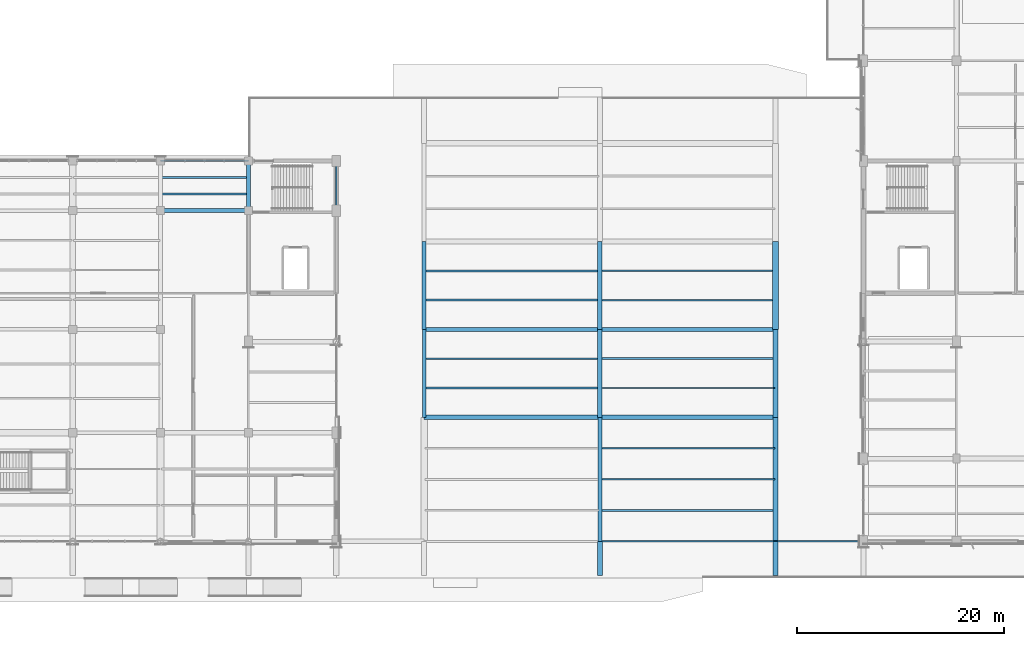
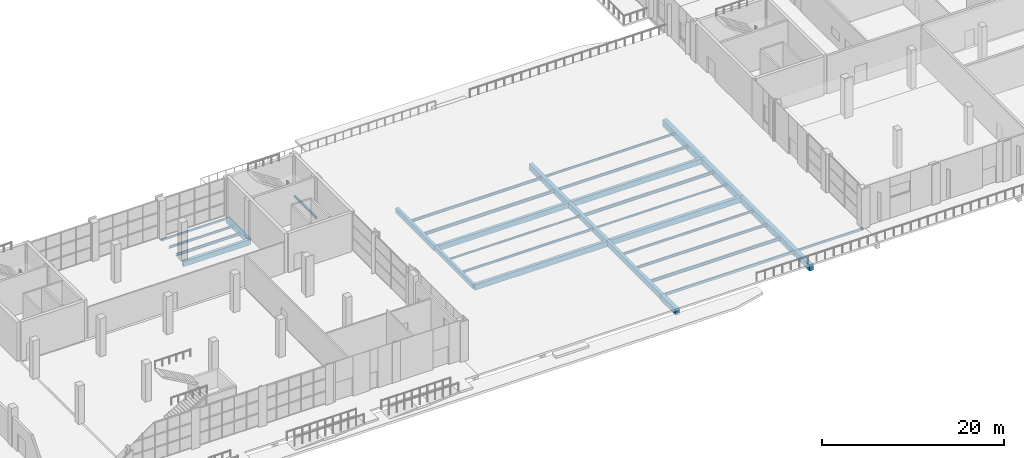
# One storey, part 18 of 90: 33 beams.
"""IFC4 building model written with IfcOpenShell, lengths in metres."""

from ifc_helpers import new_model, si_unit, direction, frame, origin, origin_2d, place, context, subcontext, project, spatial, rectangle, hollow_rectangle, i_section, extrude, material, material_profile, profile_set, type_object, element, save


model = new_model("IFC4")

# Units and contexts
model_context = context("Model", 3, precision=1e-05, world=origin(), true_north=direction((0.0, 1.0)))
body_context = subcontext(model_context, "Body", "Model", "MODEL_VIEW")
ifc_project = project(units=[si_unit("LENGTHUNIT", "METRE"), si_unit("AREAUNIT", "SQUARE_METRE"), si_unit("VOLUMEUNIT", "CUBIC_METRE"), si_unit("PLANEANGLEUNIT", "RADIAN"), si_unit("MASSUNIT", "GRAM", prefix="KILO")], contexts=[model_context])

# Site, building, storey
site_placement = place(None, origin())
site = spatial("IfcSite", under=ifc_project, at=site_placement, CompositionType="ELEMENT")
building_placement = place(site_placement, origin())
building = spatial("IfcBuilding", under=site, at=building_placement, Name="Solvikara Media Centre", CompositionType="ELEMENT")
storey_placement = place(building_placement, origin())
storey = spatial("IfcBuildingStorey", under=building, at=storey_placement, Name="L00", CompositionType="ELEMENT", Elevation=0.0)

# Beams
ifc_material_1 = material(Name="Concrete fc' 35 MPa (C35/45)", Category="concrete")
ifc_material_profile_1 = material_profile(ifc_material_1, rectangle(XDim=0.35009765625, YDim=0.60009765625, at=origin_2d()), Name="RC 350x600")
ifc_profile_set_1 = profile_set([ifc_material_profile_1], Name="Concrete fc' 35 MPa (C35/45)")
beam_type_1 = type_object("IfcBeamType", Name="BM-01", PredefinedType="BEAM", material=ifc_profile_set_1)
beam_1_placement = place(storey_placement, frame((85.0, 12.0, -0.550048828125), z_axis=(0.0, 1.0, 0.0), x_axis=(-1.0, 0.0, 0.0)))
element("IfcBeam", 1, at=beam_1_placement, inside=storey, type_object=beam_type_1, Name="B-L00-Y0181", PredefinedType="BEAM", context=body_context, shape_type="SweptSolid", body=[
    extrude(rectangle(XDim=0.35009765625, YDim=0.60009765625, at=origin_2d()), origin(), (0.0, 0.0, 1.0), 8.5),
])
ifc_material_profile_2 = material_profile(ifc_material_1, rectangle(XDim=0.39990234375, YDim=0.64990234375, at=origin_2d()), Name="RC 400x650")
ifc_profile_set_2 = profile_set([ifc_material_profile_2], Name="Concrete fc' 35 MPa (C35/45)")
beam_type_2 = type_object("IfcBeamType", Name="BM-02", PredefinedType="BEAM", material=ifc_profile_set_2)
beam_2_placement = place(storey_placement, frame((85.0, 20.5, -0.574951171875), z_axis=(0.0, 1.0, 0.0), x_axis=(-1.0, 0.0, 0.0)))
element("IfcBeam", 2, at=beam_2_placement, inside=storey, type_object=beam_type_2, Name="B-L00-Y0182", PredefinedType="BEAM", context=body_context, shape_type="SweptSolid", body=[
    extrude(rectangle(XDim=0.39990234375, YDim=0.64990234375, at=origin_2d()), origin(), (0.0, 0.0, 1.0), 8.5),
])
ifc_material_profile_3 = material_profile(ifc_material_1, rectangle(XDim=0.39990234375, YDim=0.699951171875, at=origin_2d()), Name="RC 400x700")
ifc_profile_set_3 = profile_set([ifc_material_profile_3], Name="Concrete fc' 35 MPa (C35/45)")
beam_type_3 = type_object("IfcBeamType", Name="BM-03", PredefinedType="BEAM", material=ifc_profile_set_3)
beam_3_placement = place(storey_placement, frame((85.0, 20.5, -0.60009765625), z_axis=(1.0, 0.0, 0.0), x_axis=(0.0, 1.0, 0.0)))
element("IfcBeam", 3, at=beam_3_placement, inside=storey, type_object=beam_type_3, Name="B-L00-X0039", PredefinedType="BEAM", context=body_context, shape_type="SweptSolid", body=[
    extrude(rectangle(XDim=0.39990234375, YDim=0.699951171875, at=origin_2d()), origin(), (0.0, 0.0, 1.0), 17.0),
])
beam_4_placement = place(storey_placement, frame((59.5, 32.0, -0.68994140625), z_axis=(1.0, 0.0, 0.0), x_axis=(0.0, 1.0, 0.0)))
element("IfcBeam", 4, at=beam_4_placement, inside=storey, type_object=beam_type_3, Name="B-L00-X0051", PredefinedType="BEAM", context=body_context, shape_type="SweptSolid", body=[
    extrude(rectangle(XDim=0.39990234375, YDim=0.699951171875, at=origin_2d()), origin(), (0.0, 0.0, 1.0), 8.5),
])
ifc_material_profile_4 = material_profile(ifc_material_1, rectangle(XDim=0.39990234375, YDim=0.75, at=origin_2d()), Name="RC 400x750")
ifc_profile_set_4 = profile_set([ifc_material_profile_4], Name="Concrete fc' 35 MPa (C35/45)")
beam_type_4 = type_object("IfcBeamType", Name="BM-04", PredefinedType="BEAM", material=ifc_profile_set_4)
for number, where, z_axis, x_axis, name in (
    (5, (85.0, 12.0, -0.625), (1.0, 0.0, 0.0), (0.0, 1.0, 0.0), "B-L00-X0028"),
    (6, (102.0, 20.5, -0.625), (1.0, 0.0, 0.0), (0.0, 1.0, 0.0), "B-L00-X0040"),
):
    element("IfcBeam", number, at=place(storey_placement, frame(where, z_axis=z_axis, x_axis=x_axis)), inside=storey, type_object=beam_type_4, Name=name, PredefinedType="BEAM", context=body_context, shape_type="SweptSolid", body=[
        extrude(rectangle(XDim=0.39990234375, YDim=0.75, at=origin_2d()), origin(), (0.0, 0.0, 1.0), 17.0),
    ])
beam_5_placement = place(storey_placement, frame((102.0, 0.0, -0.625), z_axis=(0.0, 1.0, 0.0), x_axis=(-1.0, 0.0, 0.0)))
element("IfcBeam", 7, at=beam_5_placement, inside=storey, type_object=beam_type_4, Name="B-L00-Y0184", PredefinedType="BEAM", context=body_context, shape_type="SweptSolid", body=[
    extrude(rectangle(XDim=0.39990234375, YDim=0.75, at=origin_2d()), origin(), (0.0, 0.0, 1.0), 12.0),
])
ifc_material_profile_5 = material_profile(ifc_material_1, rectangle(XDim=0.449951171875, YDim=0.75, at=origin_2d()), Name="RC 450x750")
ifc_profile_set_5 = profile_set([ifc_material_profile_5], Name="Concrete fc' 35 MPa (C35/45)")
beam_type_5 = type_object("IfcBeamType", Name="BM-05", PredefinedType="BEAM", material=ifc_profile_set_5)
beam_6_placement = place(storey_placement, frame((102.0, 12.0, -0.625), z_axis=(1.0, 0.0, 0.0), x_axis=(0.0, 1.0, 0.0)))
element("IfcBeam", 8, at=beam_6_placement, inside=storey, type_object=beam_type_5, Name="B-L00-X0029", PredefinedType="BEAM", context=body_context, shape_type="SweptSolid", body=[
    extrude(rectangle(XDim=0.449951171875, YDim=0.75, at=origin_2d()), origin(), (0.0, 0.0, 1.0), 17.0),
])
beam_7_placement = place(storey_placement, frame((102.0, 12.0, -0.625), z_axis=(0.0, 1.0, 0.0), x_axis=(-1.0, 0.0, 0.0)))
element("IfcBeam", 9, at=beam_7_placement, inside=storey, type_object=beam_type_5, Name="B-L00-Y0185", PredefinedType="BEAM", context=body_context, shape_type="SweptSolid", body=[
    extrude(rectangle(XDim=0.449951171875, YDim=0.75, at=origin_2d()), origin(), (0.0, 0.0, 1.0), 8.5),
])
ifc_material_profile_6 = material_profile(ifc_material_1, rectangle(XDim=0.449951171875, YDim=0.800048828125, at=origin_2d()), Name="RC 450x800")
ifc_profile_set_6 = profile_set([ifc_material_profile_6], Name="Concrete fc' 35 MPa (C35/45)")
beam_type_6 = type_object("IfcBeamType", Name="BM-06", PredefinedType="BEAM", material=ifc_profile_set_6)
beam_8_placement = place(storey_placement, frame((102.0, 20.5, -0.64990234375), z_axis=(0.0, 1.0, 0.0), x_axis=(-1.0, 0.0, 0.0)))
element("IfcBeam", 10, at=beam_8_placement, inside=storey, type_object=beam_type_6, Name="B-L00-Y0186", PredefinedType="BEAM", context=body_context, shape_type="SweptSolid", body=[
    extrude(rectangle(XDim=0.449951171875, YDim=0.800048828125, at=origin_2d()), origin(), (0.0, 0.0, 1.0), 8.5),
])
ifc_material_profile_7 = material_profile(ifc_material_1, rectangle(XDim=0.5, YDim=0.800048828125, at=origin_2d()), Name="RC 500x800")
ifc_profile_set_7 = profile_set([ifc_material_profile_7], Name="Concrete fc' 35 MPa (C35/45)")
beam_type_7 = type_object("IfcBeamType", Name="BM-07", PredefinedType="BEAM", material=ifc_profile_set_7)
for number, where, z_axis, x_axis, name in (
    (11, (102.0, -3.330078125, -0.64990234375), (0.0, 1.0, 0.0), (-1.0, 0.0, 0.0), "B-L00-PRM-029"),
    (12, (119.0, -3.330078125, -0.64990234375), (0.0, 1.0, 0.0), (-1.0, 0.0, 0.0), "B-L00-PRM-030"),
):
    element("IfcBeam", number, at=place(storey_placement, frame(where, z_axis=z_axis, x_axis=x_axis)), inside=storey, type_object=beam_type_7, Name=name, PredefinedType="BEAM", context=body_context, shape_type="SweptSolid", body=[
        extrude(rectangle(XDim=0.5, YDim=0.800048828125, at=origin_2d()), origin(), (0.0, 0.0, 1.0), 3.330078125),
    ])
ifc_material_profile_8 = material_profile(ifc_material_1, rectangle(XDim=0.5, YDim=0.85009765625, at=origin_2d()), Name="RC 500x850")
ifc_profile_set_8 = profile_set([ifc_material_profile_8], Name="Concrete fc' 35 MPa (C35/45)")
beam_type_8 = type_object("IfcBeamType", Name="BM-08", PredefinedType="BEAM", material=ifc_profile_set_8)
beam_9_placement = place(storey_placement, frame((119.0, 0.0, -0.675048828125), z_axis=(0.0, 1.0, 0.0), x_axis=(-1.0, 0.0, 0.0)))
element("IfcBeam", 13, at=beam_9_placement, inside=storey, type_object=beam_type_8, Name="B-L00-Y0188", PredefinedType="BEAM", context=body_context, shape_type="SweptSolid", body=[
    extrude(rectangle(XDim=0.5, YDim=0.85009765625, at=origin_2d()), origin(), (0.0, 0.0, 1.0), 12.0),
])
ifc_material_2 = material(Name="Concrete fc' 45 MPa (C45/55)", Category="concrete")
ifc_material_profile_9 = material_profile(ifc_material_2, rectangle(XDim=0.5, YDim=0.89990234375, at=origin_2d()), Name="RC 500x900")
ifc_profile_set_9 = profile_set([ifc_material_profile_9], Name="Concrete fc' 45 MPa (C45/55)")
beam_type_9 = type_object("IfcBeamType", Name="BM-09", PredefinedType="BEAM", material=ifc_profile_set_9)
beam_10_placement = place(storey_placement, frame((119.0, 12.0, -0.699951171875), z_axis=(0.0, 1.0, 0.0), x_axis=(-1.0, 0.0, 0.0)))
element("IfcBeam", 14, at=beam_10_placement, inside=storey, type_object=beam_type_9, Name="B-L00-Y0189", PredefinedType="BEAM", context=body_context, shape_type="SweptSolid", body=[
    extrude(rectangle(XDim=0.5, YDim=0.89990234375, at=origin_2d()), origin(), (0.0, 0.0, 1.0), 8.5),
])
ifc_material_profile_10 = material_profile(ifc_material_2, rectangle(XDim=0.550048828125, YDim=0.89990234375, at=origin_2d()), Name="RC 550x900")
ifc_profile_set_10 = profile_set([ifc_material_profile_10], Name="Concrete fc' 45 MPa (C45/55)")
beam_type_10 = type_object("IfcBeamType", Name="BM-10", PredefinedType="BEAM", material=ifc_profile_set_10)
beam_11_placement = place(storey_placement, frame((119.0, 20.5, -0.699951171875), z_axis=(0.0, 1.0, 0.0), x_axis=(-1.0, 0.0, 0.0)))
element("IfcBeam", 15, at=beam_11_placement, inside=storey, type_object=beam_type_10, Name="B-L00-Y0190", PredefinedType="BEAM", context=body_context, shape_type="SweptSolid", body=[
    extrude(rectangle(XDim=0.550048828125, YDim=0.89990234375, at=origin_2d()), origin(), (0.0, 0.0, 1.0), 8.5),
])
ifc_material_profile_11 = material_profile(ifc_material_1, rectangle(XDim=0.39990234375, YDim=0.699951171875, at=origin_2d()), Name="RC 400x700")
ifc_profile_set_11 = profile_set([ifc_material_profile_11], Name="Concrete fc' 35 MPa (C35/45)")
beam_type_11 = type_object("IfcBeamType", Name="BM-13", PredefinedType="SPANDREL", material=ifc_profile_set_11)
beam_12_placement = place(storey_placement, frame((68.0, 32.0, -0.68994140625), z_axis=(0.0, 1.0, 0.0), x_axis=(-1.0, 0.0, 0.0)))
element("IfcBeam", 16, at=beam_12_placement, inside=storey, type_object=beam_type_11, Name="B-L00-Y0175", PredefinedType="SPANDREL", context=body_context, shape_type="SweptSolid", body=[
    extrude(rectangle(XDim=0.39990234375, YDim=0.699951171875, at=origin_2d()), origin(), (0.0, 0.0, 1.0), 4.800048828125),
])
ifc_material_3 = material(Name="Steel S355JR", Category="steel")
ifc_material_profile_12 = material_profile(ifc_material_3, i_section(OverallWidth=0.199951171875, OverallDepth=0.39990234375, WebThickness=0.008056640625, FlangeThickness=0.012939453125, at=origin_2d()), Name="WF 400x200x8x13")
ifc_profile_set_12 = profile_set([ifc_material_profile_12], Name="Steel S355JR")
beam_type_12 = type_object("IfcBeamType", Name="BM-21", PredefinedType="JOIST", material=ifc_profile_set_12)
beam_13_placement = place(storey_placement, frame((102.077880859375, 3.0, -0.451904296875), z_axis=(1.0, 0.0, 0.0), x_axis=(0.0, 1.0, 0.0)))
element("IfcBeam", 17, at=beam_13_placement, inside=storey, type_object=beam_type_12, Name="J-L00-0369", PredefinedType="JOIST", context=body_context, shape_type="SweptSolid", body=[
    extrude(i_section(OverallWidth=0.199951171875, OverallDepth=0.39990234375, WebThickness=0.008056640625, FlangeThickness=0.012939453125, at=origin_2d()), origin(), (0.0, 0.0, 1.0), 16.84423828125),
])
ifc_material_profile_13 = material_profile(ifc_material_3, i_section(OverallWidth=0.175048828125, OverallDepth=0.35009765625, WebThickness=0.007080078125, FlangeThickness=0.010986328125, at=origin_2d()), Name="WF 350x175x7x11")
ifc_profile_set_13 = profile_set([ifc_material_profile_13], Name="Steel S355JR")
beam_type_13 = type_object("IfcBeamType", Name="BM-22", PredefinedType="JOIST", material=ifc_profile_set_13)
beam_14_placement = place(storey_placement, frame((59.577880859375, 33.60009765625, -0.51708984375), z_axis=(1.0, 0.0, 0.0), x_axis=(0.0, 1.0, 0.0)))
element("IfcBeam", 18, at=beam_14_placement, inside=storey, type_object=beam_type_13, Name="J-L00-0354", PredefinedType="JOIST", context=body_context, shape_type="SweptSolid", body=[
    extrude(i_section(OverallWidth=0.175048828125, OverallDepth=0.35009765625, WebThickness=0.007080078125, FlangeThickness=0.010986328125, at=origin_2d()), origin(), (0.0, 0.0, 1.0), 8.34423828125),
])
beam_15_placement = place(storey_placement, frame((102.077880859375, 6.0, -0.427001953125), z_axis=(1.0, 0.0, 0.0), x_axis=(0.0, 1.0, 0.0)))
element("IfcBeam", 19, at=beam_15_placement, inside=storey, type_object=beam_type_13, Name="J-L00-0370", PredefinedType="JOIST", context=body_context, shape_type="SweptSolid", body=[
    extrude(i_section(OverallWidth=0.175048828125, OverallDepth=0.35009765625, WebThickness=0.007080078125, FlangeThickness=0.010986328125, at=origin_2d()), origin(), (0.0, 0.0, 1.0), 16.84423828125),
])
ifc_material_profile_14 = material_profile(ifc_material_3, i_section(OverallWidth=0.14990234375, OverallDepth=0.300048828125, WebThickness=0.006591796875, FlangeThickness=0.009033203125, at=origin_2d()), Name="WF 300x150x6.5x9")
ifc_profile_set_14 = profile_set([ifc_material_profile_14], Name="Steel S355JR")
beam_type_14 = type_object("IfcBeamType", Name="BM-23", PredefinedType="JOIST", material=ifc_profile_set_14)
beam_16_placement = place(storey_placement, frame((59.577880859375, 35.199951171875, -0.491943359375), z_axis=(1.0, 0.0, 0.0), x_axis=(0.0, 1.0, 0.0)))
element("IfcBeam", 20, at=beam_16_placement, inside=storey, type_object=beam_type_14, Name="J-L00-0355", PredefinedType="JOIST", context=body_context, shape_type="SweptSolid", body=[
    extrude(i_section(OverallWidth=0.14990234375, OverallDepth=0.300048828125, WebThickness=0.006591796875, FlangeThickness=0.009033203125, at=origin_2d()), origin(), (0.0, 0.0, 1.0), 8.34423828125),
])
for number, where, z_axis, x_axis, name in (
    (21, (85.077880859375, 14.8330078125, -0.402099609375), (1.0, 0.0, 0.0), (0.0, 1.0, 0.0), "J-L00-0363"),
    (22, (102.077880859375, 9.0, -0.402099609375), (1.0, 0.0, 0.0), (0.0, 1.0, 0.0), "J-L00-0371"),
):
    element("IfcBeam", number, at=place(storey_placement, frame(where, z_axis=z_axis, x_axis=x_axis)), inside=storey, type_object=beam_type_14, Name=name, PredefinedType="JOIST", context=body_context, shape_type="SweptSolid", body=[
        extrude(i_section(OverallWidth=0.14990234375, OverallDepth=0.300048828125, WebThickness=0.006591796875, FlangeThickness=0.009033203125, at=origin_2d()), origin(), (0.0, 0.0, 1.0), 16.84423828125),
    ])
ifc_material_profile_15 = material_profile(ifc_material_3, i_section(OverallWidth=0.125, OverallDepth=0.25, WebThickness=0.006103515625, FlangeThickness=0.009033203125, at=origin_2d()), Name="WF 250x125x6x9")
ifc_profile_set_15 = profile_set([ifc_material_profile_15], Name="Steel S355JR")
beam_type_15 = type_object("IfcBeamType", Name="BM-24", PredefinedType="JOIST", material=ifc_profile_set_15)
for number, where, z_axis, x_axis, name in (
    (23, (85.077880859375, 17.6669921875, -0.376953125), (1.0, 0.0, 0.0), (0.0, 1.0, 0.0), "J-L00-0364"),
    (24, (102.077880859375, 14.8330078125, -0.376953125), (1.0, 0.0, 0.0), (0.0, 1.0, 0.0), "J-L00-0372"),
):
    element("IfcBeam", number, at=place(storey_placement, frame(where, z_axis=z_axis, x_axis=x_axis)), inside=storey, type_object=beam_type_15, Name=name, PredefinedType="JOIST", context=body_context, shape_type="SweptSolid", body=[
        extrude(i_section(OverallWidth=0.125, OverallDepth=0.25, WebThickness=0.006103515625, FlangeThickness=0.009033203125, at=origin_2d()), origin(), (0.0, 0.0, 1.0), 16.84423828125),
    ])
ifc_material_profile_16 = material_profile(ifc_material_3, hollow_rectangle(XDim=0.175048828125, YDim=0.35009765625, WallThickness=0.010009765625, at=origin_2d()), Name="RHS 350x175x10")
ifc_profile_set_16 = profile_set([ifc_material_profile_16], Name="Steel S355JR")
beam_type_16 = type_object("IfcBeamType", Name="BM-34", PredefinedType="SPANDREL", material=ifc_profile_set_16)
beam_17_placement = place(storey_placement, frame((102.0, 0.0, -0.427001953125), z_axis=(1.0, 0.0, 0.0), x_axis=(0.0, 1.0, 0.0)))
element("IfcBeam", 25, at=beam_17_placement, inside=storey, type_object=beam_type_16, Name="B-L00-X0012", PredefinedType="SPANDREL", context=body_context, shape_type="SweptSolid", body=[
    extrude(hollow_rectangle(XDim=0.175048828125, YDim=0.35009765625, WallThickness=0.010009765625, at=origin_2d()), origin(), (0.0, 0.0, 1.0), 17.0),
])
ifc_material_profile_17 = material_profile(ifc_material_3, hollow_rectangle(XDim=0.14990234375, YDim=0.300048828125, WallThickness=0.010009765625, at=origin_2d()), Name="RHS 300x150x10")
ifc_profile_set_17 = profile_set([ifc_material_profile_17], Name="Steel S355JR")
beam_type_17 = type_object("IfcBeamType", Name="BM-35", PredefinedType="BEAM", material=ifc_profile_set_17)
beam_18_placement = place(storey_placement, frame((119.0, 0.0, -0.402099609375), z_axis=(1.0, 0.0, 0.0), x_axis=(0.0, 1.0, 0.0)))
element("IfcBeam", 26, at=beam_18_placement, inside=storey, type_object=beam_type_17, Name="B-L00-X0013", PredefinedType="BEAM", context=body_context, shape_type="SweptSolid", body=[
    extrude(hollow_rectangle(XDim=0.14990234375, YDim=0.300048828125, WallThickness=0.010009765625, at=origin_2d()), origin(), (0.0, 0.0, 1.0), 8.5),
])
beam_19_placement = place(storey_placement, frame((76.5, 32.0, -0.491943359375), z_axis=(0.0, 1.0, 0.0), x_axis=(-1.0, 0.0, 0.0)))
element("IfcBeam", 27, at=beam_19_placement, inside=storey, type_object=beam_type_17, Name="B-L00-Y0179", PredefinedType="BEAM", context=body_context, shape_type="SweptSolid", body=[
    extrude(hollow_rectangle(XDim=0.14990234375, YDim=0.300048828125, WallThickness=0.010009765625, at=origin_2d()), origin(), (0.0, 0.0, 1.0), 4.800048828125),
])
ifc_material_profile_18 = material_profile(ifc_material_3, hollow_rectangle(XDim=0.14990234375, YDim=0.25, WallThickness=0.008056640625, at=origin_2d()), Name="RHS 250x150x8")
ifc_profile_set_18 = profile_set([ifc_material_profile_18], Name="Steel S355JR")
beam_type_18 = type_object("IfcBeamType", Name="BM-36", PredefinedType="JOIST", material=ifc_profile_set_18)
beam_20_placement = place(storey_placement, frame((59.5, 36.800048828125, -0.467041015625), z_axis=(1.0, 0.0, 0.0), x_axis=(0.0, 1.0, 0.0)))
element("IfcBeam", 28, at=beam_20_placement, inside=storey, type_object=beam_type_18, Name="B-L00-X0054", PredefinedType="JOIST", context=body_context, shape_type="SweptSolid", body=[
    extrude(hollow_rectangle(XDim=0.14990234375, YDim=0.25, WallThickness=0.008056640625, at=origin_2d()), origin(), (0.0, 0.0, 1.0), 8.5),
])
ifc_material_profile_19 = material_profile(ifc_material_3, i_section(OverallWidth=0.198974609375, OverallDepth=0.39599609375, WebThickness=0.007080078125, FlangeThickness=0.010986328125, at=origin_2d()), Name="WF 396x199x7x11")
ifc_profile_set_19 = profile_set([ifc_material_profile_19], Name="Steel S355JR")
beam_type_19 = type_object("IfcBeamType", Name="BM-37", PredefinedType="JOIST", material=ifc_profile_set_19)
for number, where, z_axis, x_axis, name in (
    (29, (85.077880859375, 23.3330078125, -0.449951171875), (1.0, 0.0, 0.0), (0.0, 1.0, 0.0), "J-L00-0365"),
    (30, (102.077880859375, 17.6669921875, -0.449951171875), (1.0, 0.0, 0.0), (0.0, 1.0, 0.0), "J-L00-0373"),
):
    element("IfcBeam", number, at=place(storey_placement, frame(where, z_axis=z_axis, x_axis=x_axis)), inside=storey, type_object=beam_type_19, Name=name, PredefinedType="JOIST", context=body_context, shape_type="SweptSolid", body=[
        extrude(i_section(OverallWidth=0.198974609375, OverallDepth=0.39599609375, WebThickness=0.007080078125, FlangeThickness=0.010986328125, at=origin_2d()), origin(), (0.0, 0.0, 1.0), 16.84423828125),
    ])
ifc_material_profile_20 = material_profile(ifc_material_3, i_section(OverallWidth=0.174072265625, OverallDepth=0.345947265625, WebThickness=0.006103515625, FlangeThickness=0.009033203125, at=origin_2d()), Name="WF 346x174x6x9")
ifc_profile_set_20 = profile_set([ifc_material_profile_20], Name="Steel S355JR")
beam_type_20 = type_object("IfcBeamType", Name="BM-38", PredefinedType="JOIST", material=ifc_profile_set_20)
for number, where, z_axis, x_axis, name in (
    (31, (85.077880859375, 26.1669921875, -0.425048828125), (1.0, 0.0, 0.0), (0.0, 1.0, 0.0), "J-L00-0366"),
    (32, (102.077880859375, 23.3330078125, -0.425048828125), (1.0, 0.0, 0.0), (0.0, 1.0, 0.0), "J-L00-0374"),
):
    element("IfcBeam", number, at=place(storey_placement, frame(where, z_axis=z_axis, x_axis=x_axis)), inside=storey, type_object=beam_type_20, Name=name, PredefinedType="JOIST", context=body_context, shape_type="SweptSolid", body=[
        extrude(i_section(OverallWidth=0.174072265625, OverallDepth=0.345947265625, WebThickness=0.006103515625, FlangeThickness=0.009033203125, at=origin_2d()), origin(), (0.0, 0.0, 1.0), 16.84423828125),
    ])
ifc_material_profile_21 = material_profile(ifc_material_3, i_section(OverallWidth=0.14892578125, OverallDepth=0.298095703125, WebThickness=0.005615234375, FlangeThickness=0.008056640625, at=origin_2d()), Name="WF 298x149x5.5x8")
ifc_profile_set_21 = profile_set([ifc_material_profile_21], Name="Steel S355JR")
beam_type_21 = type_object("IfcBeamType", Name="BM-39", PredefinedType="JOIST", material=ifc_profile_set_21)
beam_21_placement = place(storey_placement, frame((102.077880859375, 26.1669921875, -0.40087890625), z_axis=(1.0, 0.0, 0.0), x_axis=(0.0, 1.0, 0.0)))
element("IfcBeam", 33, at=beam_21_placement, inside=storey, type_object=beam_type_21, Name="J-L00-0375", PredefinedType="JOIST", context=body_context, shape_type="SweptSolid", body=[
    extrude(i_section(OverallWidth=0.14892578125, OverallDepth=0.298095703125, WebThickness=0.005615234375, FlangeThickness=0.008056640625, at=origin_2d()), origin(), (0.0, 0.0, 1.0), 16.84423828125),
])

save(model, "model.ifc")
